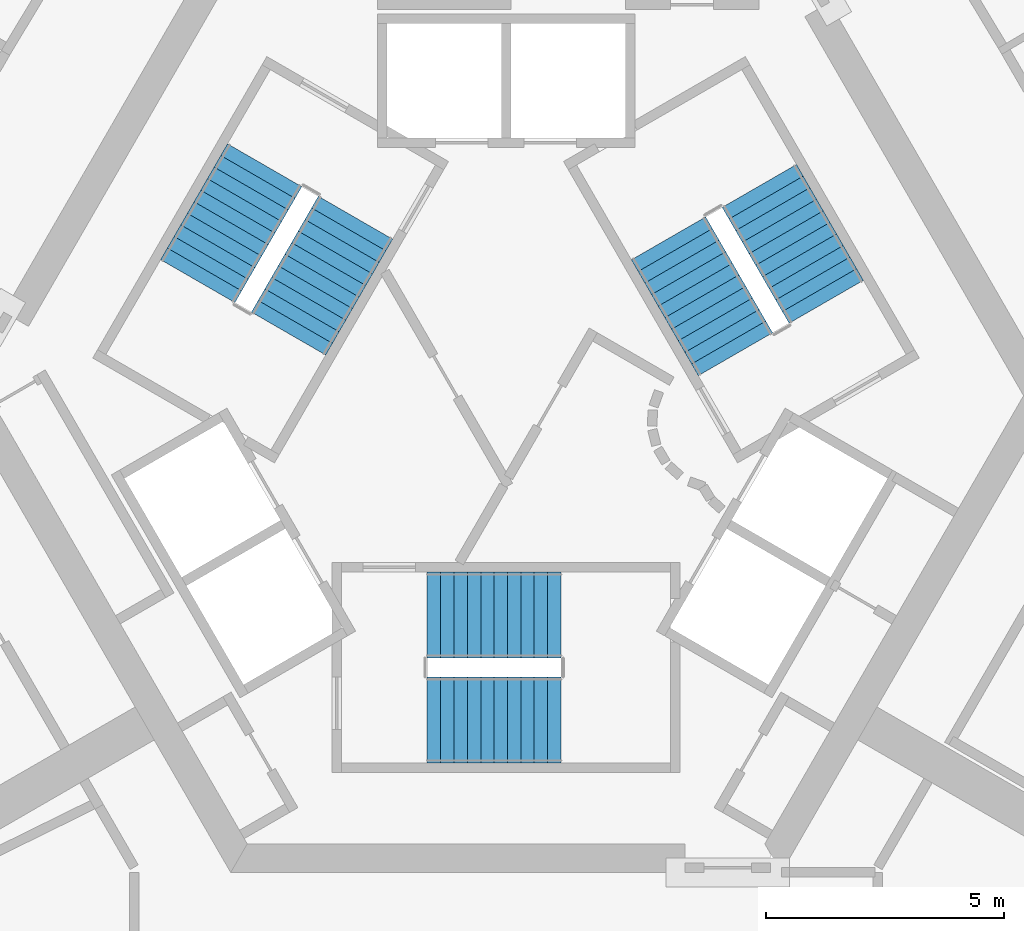
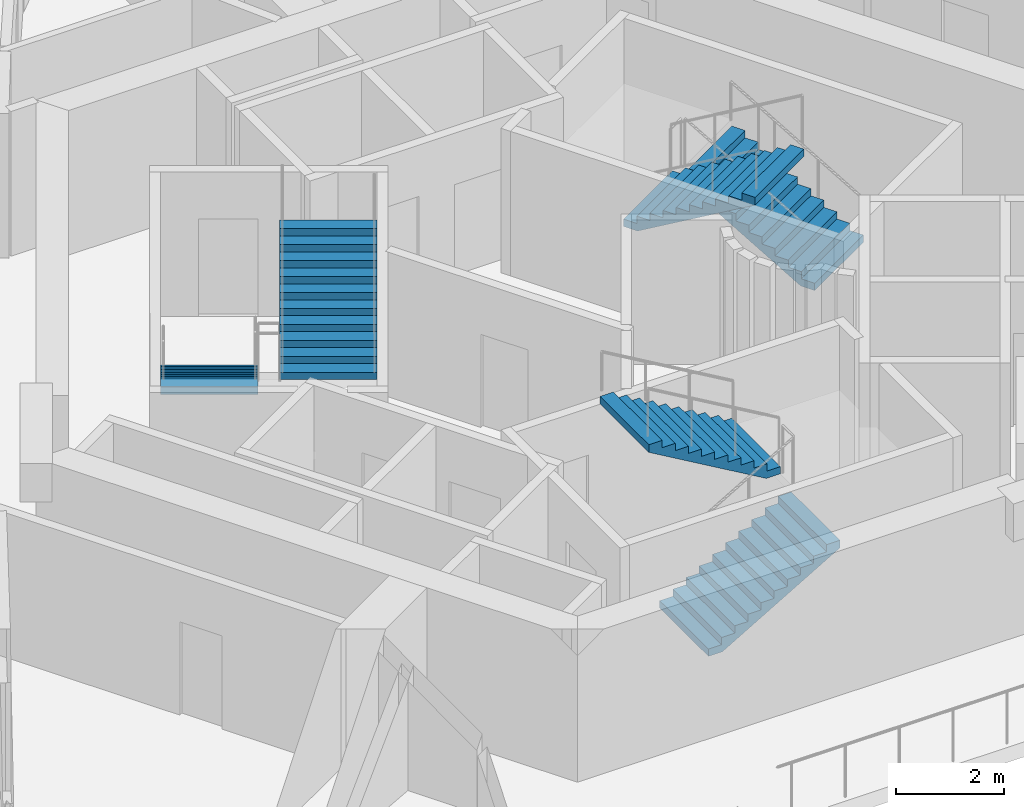
# One storey, part 11 of 14: 6 stair flights, 3 elements without a shape of their own.
"""IFC4 building model written with IfcOpenShell, lengths in metres."""

from ifc_helpers import new_model, si_unit, direction, frame, origin, place, context, subcontext, project, spatial, polyline, outline, extrude, material, type_object, element, aggregate, save


model = new_model("IFC4")

# Units and contexts
model_context = context("Model", 3, precision=1e-05, world=origin(), true_north=direction((0.0, 1.0)))
body_context = subcontext(model_context, "Body", "Model", "MODEL_VIEW")
ifc_project = project(units=[si_unit("LENGTHUNIT", "METRE"), si_unit("AREAUNIT", "SQUARE_METRE"), si_unit("VOLUMEUNIT", "CUBIC_METRE"), si_unit("PLANEANGLEUNIT", "RADIAN"), si_unit("MASSUNIT", "GRAM", prefix="KILO")], contexts=[model_context])

# Site, building, storey
site_placement = place(None, origin())
site = spatial("IfcSite", under=ifc_project, at=site_placement, CompositionType="ELEMENT")
building_placement = place(site_placement, origin())
building = spatial("IfcBuilding", under=site, at=building_placement, Name="Entoto Arch Interchange Tower", CompositionType="ELEMENT")
storey_placement = place(building_placement, frame((0.0, 0.0, 252.199951171875)))
storey = spatial("IfcBuildingStorey", under=building, at=storey_placement, Name="L57", CompositionType="ELEMENT", Elevation=252.199951171875)

# Stair, stair flights
ifc_material = material(Name="Concrete C40/50", Category="concrete")
stair_type = type_object("IfcStairType", Name="EXIT STAIR RC 1800", PredefinedType="HALF_TURN_STAIR", material=ifc_material)
stair_1_placement = place(storey_placement, origin())
stair_1 = element("IfcStair", 1, at=stair_1_placement, inside=storey, type_object=stair_type, Name="L57 Exit stair S", PredefinedType="HALF_TURN_STAIR")
stair_flight_type = type_object("IfcStairFlightType", Name="EXIT STAIR FLIGHT RC 1800", PredefinedType="STRAIGHT", material=ifc_material)
stair_flight_1_placement = place(storey_placement, frame((-1.64990234375, -4.300048828125, 0.0), z_axis=(0.0, 0.0, 1.0), x_axis=(1.0, 0.0, 0.0)))
stair_flight_1 = element("IfcStairFlight", 2, at=stair_flight_1_placement, type_object=stair_flight_type, Name="ST-S flight 1", NumberOfRisers=11, NumberOfTreads=10, PredefinedType="STRAIGHT", RiserHeight=0.163636364, TreadLength=0.28, context=body_context, shape_type="SweptSolid", body=[
    extrude(outline(polyline([(-0.0029296875, 0.0), (-0.0029296875, 0.16357421875), (0.280029296875, 0.16357421875), (0.280029296875, 0.327392578125), (0.56005859375, 0.327392578125), (0.56005859375, 0.490966796875), (0.840087890625, 0.490966796875), (0.840087890625, 0.654541015625), (1.1201171875, 0.654541015625), (1.1201171875, 0.818115234375), (1.39990234375, 0.818115234375), (1.39990234375, 0.98193359375), (1.679931640625, 0.98193359375), (1.679931640625, 1.1455078125), (1.9599609375, 1.1455078125), (1.9599609375, 1.30908203125), (2.239990234375, 1.30908203125), (2.239990234375, 1.47265625), (2.52001953125, 1.47265625), (2.52001953125, 1.636474609375), (2.800048828125, 1.636474609375), (2.802978515625, 1.636474609375), (2.802978515625, 1.464599609375), (0.297119140625, 0.0), (-0.0029296875, 0.0)])), frame((0.0, 0.89990234375, 0.0), z_axis=(0.0, -1.0, 0.0), x_axis=(1.0, 0.0, 0.0)), (0.0, 0.0, 1.0), 1.800048828125),
])
stair_flight_2_placement = place(storey_placement, frame((1.14990234375, -2.10009765625, 1.800048828125), z_axis=(0.0, 0.0, 1.0), x_axis=(-1.0, 0.0, 0.0)))
stair_flight_2 = element("IfcStairFlight", 3, at=stair_flight_2_placement, type_object=stair_flight_type, Name="ST-S flight 2", NumberOfRisers=11, NumberOfTreads=10, PredefinedType="STRAIGHT", RiserHeight=0.163636364, TreadLength=0.28, context=body_context, shape_type="SweptSolid", body=[
    extrude(outline(polyline([(-0.0029296875, 0.0), (-0.0029296875, 0.16357421875), (0.280029296875, 0.16357421875), (0.280029296875, 0.327392578125), (0.56005859375, 0.327392578125), (0.56005859375, 0.490966796875), (0.840087890625, 0.490966796875), (0.840087890625, 0.654541015625), (1.1201171875, 0.654541015625), (1.1201171875, 0.818115234375), (1.39990234375, 0.818115234375), (1.39990234375, 0.98193359375), (1.679931640625, 0.98193359375), (1.679931640625, 1.1455078125), (1.9599609375, 1.1455078125), (1.9599609375, 1.30908203125), (2.239990234375, 1.30908203125), (2.239990234375, 1.47265625), (2.52001953125, 1.47265625), (2.52001953125, 1.636474609375), (2.800048828125, 1.636474609375), (2.802978515625, 1.636474609375), (2.802978515625, 1.464599609375), (0.297119140625, 0.0), (-0.0029296875, 0.0)])), frame((0.0, 0.89990234375, 0.0), z_axis=(0.0, -1.0, 0.0), x_axis=(1.0, 0.0, 0.0)), (0.0, 0.0, 1.0), 1.800048828125),
])
aggregate(stair_1, [stair_flight_1, stair_flight_2])

stair_2_placement = place(storey_placement, origin())
stair_2 = element("IfcStair", 4, at=stair_2_placement, inside=storey, type_object=stair_type, Name="L57 Exit stair NE", PredefinedType="HALF_TURN_STAIR")
stair_flight_3_placement = place(storey_placement, frame((6.7138671875, 4.470947265625, 0.0), z_axis=(0.0, 0.0, 1.0), x_axis=(-0.5, 0.866025403784, 0.0)))
stair_flight_3 = element("IfcStairFlight", 5, at=stair_flight_3_placement, type_object=stair_flight_type, Name="ST-NE flight 1", NumberOfRisers=11, NumberOfTreads=10, PredefinedType="STRAIGHT", RiserHeight=0.163636364, TreadLength=0.28, context=body_context, shape_type="SweptSolid", body=[
    extrude(outline(polyline([(-0.0029296875, 0.0), (-0.0029296875, 0.16357421875), (0.280029296875, 0.16357421875), (0.280029296875, 0.327392578125), (0.56005859375, 0.327392578125), (0.56005859375, 0.490966796875), (0.840087890625, 0.490966796875), (0.840087890625, 0.654541015625), (1.1201171875, 0.654541015625), (1.1201171875, 0.818115234375), (1.39990234375, 0.818115234375), (1.39990234375, 0.98193359375), (1.679931640625, 0.98193359375), (1.679931640625, 1.1455078125), (1.9599609375, 1.1455078125), (1.9599609375, 1.30908203125), (2.239990234375, 1.30908203125), (2.239990234375, 1.47265625), (2.52001953125, 1.47265625), (2.52001953125, 1.636474609375), (2.800048828125, 1.636474609375), (2.802978515625, 1.636474609375), (2.802978515625, 1.464599609375), (0.297119140625, 0.0), (-0.0029296875, 0.0)])), frame((0.0, 0.89990234375, 0.0), z_axis=(0.0, -1.0, 0.0), x_axis=(1.0, 0.0, 0.0)), (0.0, 0.0, 1.0), 1.800048828125),
])
stair_flight_4_placement = place(storey_placement, frame((3.40869140625, 5.7958984375, 1.800048828125), z_axis=(0.0, 0.0, 1.0), x_axis=(0.5, -0.866025403784, 0.0)))
stair_flight_4 = element("IfcStairFlight", 6, at=stair_flight_4_placement, type_object=stair_flight_type, Name="ST-NE flight 2", NumberOfRisers=11, NumberOfTreads=10, PredefinedType="STRAIGHT", RiserHeight=0.163636364, TreadLength=0.28, context=body_context, shape_type="SweptSolid", body=[
    extrude(outline(polyline([(-0.0029296875, 0.0), (-0.0029296875, 0.16357421875), (0.280029296875, 0.16357421875), (0.280029296875, 0.327392578125), (0.56005859375, 0.327392578125), (0.56005859375, 0.490966796875), (0.840087890625, 0.490966796875), (0.840087890625, 0.654541015625), (1.1201171875, 0.654541015625), (1.1201171875, 0.818115234375), (1.39990234375, 0.818115234375), (1.39990234375, 0.98193359375), (1.679931640625, 0.98193359375), (1.679931640625, 1.1455078125), (1.9599609375, 1.1455078125), (1.9599609375, 1.30908203125), (2.239990234375, 1.30908203125), (2.239990234375, 1.47265625), (2.52001953125, 1.47265625), (2.52001953125, 1.636474609375), (2.800048828125, 1.636474609375), (2.802978515625, 1.636474609375), (2.802978515625, 1.464599609375), (0.297119140625, 0.0), (-0.0029296875, 0.0)])), frame((0.0, 0.89990234375, 0.0), z_axis=(0.0, -1.0, 0.0), x_axis=(1.0, 0.0, 0.0)), (0.0, 0.0, 1.0), 1.800048828125),
])
aggregate(stair_2, [stair_flight_3, stair_flight_4])

stair_3_placement = place(storey_placement, origin())
stair_3 = element("IfcStair", 7, at=stair_3_placement, inside=storey, type_object=stair_type, Name="L57 Exit stair NW", PredefinedType="HALF_TURN_STAIR")
stair_flight_5_placement = place(storey_placement, frame((-5.06396484375, 7.328857421875, 0.0), z_axis=(0.0, 0.0, 1.0), x_axis=(-0.5, -0.866025403784, 0.0)))
stair_flight_5 = element("IfcStairFlight", 8, at=stair_flight_5_placement, type_object=stair_flight_type, Name="ST-NW flight 1", NumberOfRisers=11, NumberOfTreads=10, PredefinedType="STRAIGHT", RiserHeight=0.163636364, TreadLength=0.28, context=body_context, shape_type="SweptSolid", body=[
    extrude(outline(polyline([(-0.0029296875, 0.0), (-0.0029296875, 0.16357421875), (0.280029296875, 0.16357421875), (0.280029296875, 0.327392578125), (0.56005859375, 0.327392578125), (0.56005859375, 0.490966796875), (0.840087890625, 0.490966796875), (0.840087890625, 0.654541015625), (1.1201171875, 0.654541015625), (1.1201171875, 0.818115234375), (1.39990234375, 0.818115234375), (1.39990234375, 0.98193359375), (1.679931640625, 0.98193359375), (1.679931640625, 1.1455078125), (1.9599609375, 1.1455078125), (1.9599609375, 1.30908203125), (2.239990234375, 1.30908203125), (2.239990234375, 1.47265625), (2.52001953125, 1.47265625), (2.52001953125, 1.636474609375), (2.800048828125, 1.636474609375), (2.802978515625, 1.636474609375), (2.802978515625, 1.464599609375), (0.297119140625, 0.0), (-0.0029296875, 0.0)])), frame((0.0, 0.89990234375, 0.0), z_axis=(0.0, -1.0, 0.0), x_axis=(1.0, 0.0, 0.0)), (0.0, 0.0, 1.0), 1.800048828125),
])
stair_flight_6_placement = place(storey_placement, frame((-4.558837890625, 3.803955078125, 1.800048828125), z_axis=(0.0, 0.0, 1.0), x_axis=(0.5, 0.866025403784, 0.0)))
stair_flight_6 = element("IfcStairFlight", 9, at=stair_flight_6_placement, type_object=stair_flight_type, Name="ST-NW flight 2", NumberOfRisers=11, NumberOfTreads=10, PredefinedType="STRAIGHT", RiserHeight=0.163636364, TreadLength=0.28, context=body_context, shape_type="SweptSolid", body=[
    extrude(outline(polyline([(-0.0029296875, 0.0), (-0.0029296875, 0.16357421875), (0.280029296875, 0.16357421875), (0.280029296875, 0.327392578125), (0.56005859375, 0.327392578125), (0.56005859375, 0.490966796875), (0.840087890625, 0.490966796875), (0.840087890625, 0.654541015625), (1.1201171875, 0.654541015625), (1.1201171875, 0.818115234375), (1.39990234375, 0.818115234375), (1.39990234375, 0.98193359375), (1.679931640625, 0.98193359375), (1.679931640625, 1.1455078125), (1.9599609375, 1.1455078125), (1.9599609375, 1.30908203125), (2.239990234375, 1.30908203125), (2.239990234375, 1.47265625), (2.52001953125, 1.47265625), (2.52001953125, 1.636474609375), (2.800048828125, 1.636474609375), (2.802978515625, 1.636474609375), (2.802978515625, 1.464599609375), (0.297119140625, 0.0), (-0.0029296875, 0.0)])), frame((0.0, 0.89990234375, 0.0), z_axis=(0.0, -1.0, 0.0), x_axis=(1.0, 0.0, 0.0)), (0.0, 0.0, 1.0), 1.800048828125),
])
aggregate(stair_3, [stair_flight_5, stair_flight_6])

save(model, "model.ifc")
